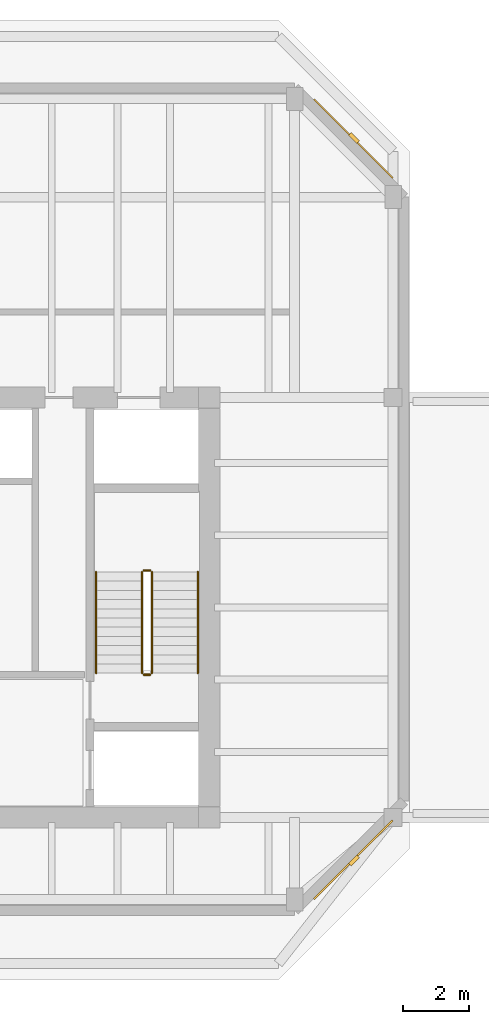
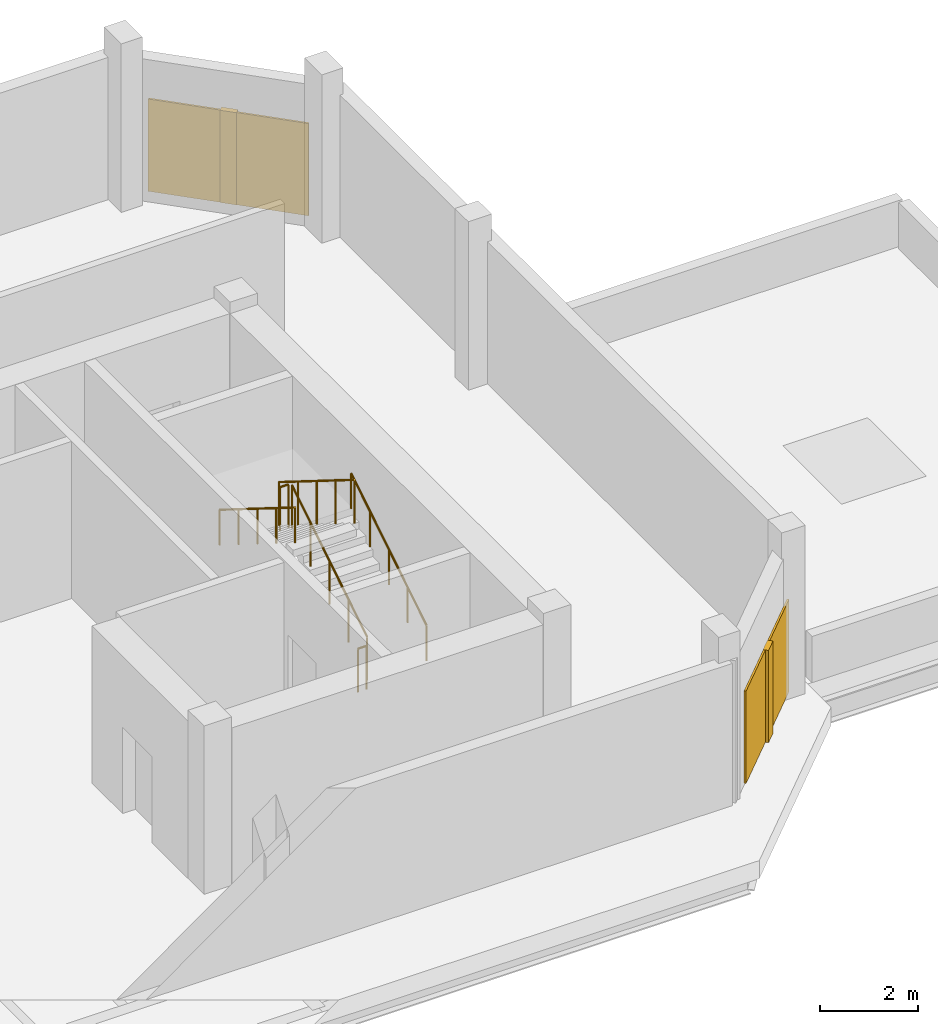
# One storey, part 5 of 5: 6 railings, 2 coverings, 2 shading devices.
"""IFC4 building model written with IfcOpenShell, lengths in metres."""

from ifc_helpers import new_model, si_unit, direction, frame, origin, origin_2d, place, context, subcontext, project, spatial, rectangle, circle, extrude, material, layer, layer_set, type_object, element, save


model = new_model("IFC4")

# Units and contexts
model_context = context("Model", 3, precision=1e-05, world=origin(), true_north=direction((0.0, 1.0)))
body_context = subcontext(model_context, "Body", "Model", "MODEL_VIEW")
ifc_project = project(units=[si_unit("LENGTHUNIT", "METRE"), si_unit("AREAUNIT", "SQUARE_METRE"), si_unit("VOLUMEUNIT", "CUBIC_METRE"), si_unit("PLANEANGLEUNIT", "RADIAN"), si_unit("MASSUNIT", "GRAM", prefix="KILO")], contexts=[model_context])

# Site, building, storey
site_placement = place(None, origin())
site = spatial("IfcSite", under=ifc_project, at=site_placement, CompositionType="ELEMENT")
building_placement = place(site_placement, origin())
building = spatial("IfcBuilding", under=site, at=building_placement, Name="Kranthara Brick Stack", CompositionType="ELEMENT")
storey_placement = place(building_placement, frame((0.0, 0.0, 292.199951171875)))
storey = spatial("IfcBuildingStorey", under=building, at=storey_placement, Name="L77", CompositionType="ELEMENT", Elevation=292.199951171875)

# Coverings
ifc_material_1 = material(Name="Warm buff kiln-fired brick slip rainscreen", Category="masonry")
ifc_layer = layer(ifc_material_1, 0.044921875)
ifc_layer_set = layer_set([ifc_layer], Name="Warm buff kiln-fired brick slip rainscreen")
covering_type = type_object("IfcCoveringType", Name="COV-CLAD-BRICK", PredefinedType="CLADDING", material=ifc_layer_set)
for number, where, z_axis, x_axis, name in (
    (1, (47.585205078125, 41.485107421875, 0.0498046875), (0.0, 0.0, 1.0), (0.707106781187, -0.707106781187, 0.0), "L77 Chamfer Brick Rainscreen Cladding NE"),
    (2, (47.585205078125, 19.514892578125, 0.0498046875), (0.0, 0.0, 1.0), (-0.707106781187, -0.707106781187, 0.0), "L77 Chamfer Brick Rainscreen Cladding SE"),
):
    element("IfcCovering", number, at=place(storey_placement, frame(where, z_axis=z_axis, x_axis=x_axis)), inside=storey, type_object=covering_type, Name=name, PredefinedType="CLADDING", context=body_context, shape_type="SweptSolid", body=[
        extrude(rectangle(XDim=3.39111328125, YDim=0.044921875, at=origin_2d()), origin(), (0.0, 0.0, 1.0), 2.300048828125),
    ])

# Railings
ifc_material_2 = material(Name="Painted galvanized steel stair guardrail", Category="steel")
railing_type_1 = type_object("IfcRailingType", Name="RL-STAIR-GUARD-1100", PredefinedType="GUARDRAIL", material=ifc_material_2)
railing_1_placement = place(storey_placement, frame((41.449951171875, 25.199951171875, 0.175048828125)))
element("IfcRailing", 3, at=railing_1_placement, inside=storey, type_object=railing_type_1, Name="L77 ST02 stair guard 1", PredefinedType="GUARDRAIL", context=body_context, shape_type="SweptSolid", body=[
    extrude(circle(Radius=0.02392578125, at=origin_2d()), frame((0.0, 0.0, 1.076171875), z_axis=(0.0, 0.847998304005, 0.529998940003), x_axis=(-1.0, 0.0, 0.0)), (0.0, 0.0, 1.0), 3.632080078125),
    extrude(circle(Radius=0.02099609375, at=origin_2d()), origin(), (0.0, 0.0, 1.0), 1.052001953125),
    extrude(circle(Radius=0.02099609375, at=origin_2d()), frame((0.0, 0.77001953125, 0.481201171875)), (0.0, 0.0, 1.0), 1.052001953125),
    extrude(circle(Radius=0.02099609375, at=origin_2d()), frame((0.0, 1.5400390625, 0.96240234375)), (0.0, 0.0, 1.0), 1.052001953125),
    extrude(circle(Radius=0.02099609375, at=origin_2d()), frame((0.0, 2.31005859375, 1.44384765625)), (0.0, 0.0, 1.0), 1.052001953125),
    extrude(circle(Radius=0.02099609375, at=origin_2d()), frame((0.0, 3.080078125, 1.925048828125)), (0.0, 0.0, 1.0), 1.052001953125),
])
railing_2_placement = place(storey_placement, frame((41.39990234375, 28.330078125, 2.10009765625)))
element("IfcRailing", 4, at=railing_2_placement, inside=storey, type_object=railing_type_1, Name="L77 ST02 stair guard 2", PredefinedType="GUARDRAIL", context=body_context, shape_type="SweptSolid", body=[
    extrude(circle(Radius=0.02392578125, at=origin_2d()), frame((0.0, 0.0, 1.076171875), z_axis=(-1.0, 0.0, 0.0), x_axis=(0.0, -1.0, 0.0)), (0.0, 0.0, 1.0), 0.199951171875),
    extrude(circle(Radius=0.02099609375, at=origin_2d()), origin(), (0.0, 0.0, 1.0), 1.052001953125),
    extrude(circle(Radius=0.02099609375, at=origin_2d()), frame((-0.199951171875, 0.0, 0.0)), (0.0, 0.0, 1.0), 1.052001953125),
])
railing_3_placement = place(storey_placement, frame((41.14990234375, 28.280029296875, 2.275146484375)))
element("IfcRailing", 5, at=railing_3_placement, inside=storey, type_object=railing_type_1, Name="L77 ST02 stair guard 3", PredefinedType="GUARDRAIL", context=body_context, shape_type="SweptSolid", body=[
    extrude(circle(Radius=0.02392578125, at=origin_2d()), frame((0.0, 0.0, 1.076171875), z_axis=(0.0, -0.848028513186, 0.529950602248), x_axis=(1.0, 0.0, 0.0)), (0.0, 0.0, 1.0), 3.632080078125),
    extrude(circle(Radius=0.02099609375, at=origin_2d()), origin(), (0.0, 0.0, 1.0), 1.052001953125),
    extrude(circle(Radius=0.02099609375, at=origin_2d()), frame((0.0, -0.77001953125, 0.481201171875)), (0.0, 0.0, 1.0), 1.052001953125),
    extrude(circle(Radius=0.02099609375, at=origin_2d()), frame((0.0, -1.5400390625, 0.96240234375)), (0.0, 0.0, 1.0), 1.052001953125),
    extrude(circle(Radius=0.02099609375, at=origin_2d()), frame((0.0, -2.31005859375, 1.443603515625)), (0.0, 0.0, 1.0), 1.052001953125),
    extrude(circle(Radius=0.02099609375, at=origin_2d()), frame((0.0, -3.080078125, 1.9248046875)), (0.0, 0.0, 1.0), 1.052001953125),
])
railing_4_placement = place(storey_placement, frame((41.39990234375, 25.14990234375, 0.0)))
element("IfcRailing", 6, at=railing_4_placement, inside=storey, type_object=railing_type_1, Name="L77 ST02 stair guard 4", PredefinedType="GUARDRAIL", context=body_context, shape_type="SweptSolid", body=[
    extrude(circle(Radius=0.02392578125, at=origin_2d()), frame((0.0, 0.0, 1.076171875), z_axis=(-1.0, 0.0, 0.0), x_axis=(0.0, -1.0, 0.0)), (0.0, 0.0, 1.0), 0.199951171875),
    extrude(circle(Radius=0.02099609375, at=origin_2d()), origin(), (0.0, 0.0, 1.0), 1.052001953125),
    extrude(circle(Radius=0.02099609375, at=origin_2d()), frame((-0.199951171875, 0.0, 0.0)), (0.0, 0.0, 1.0), 1.052001953125),
])
ifc_material_3 = material(Name="Brushed stainless steel tubular handrail", Category="steel")
railing_type_2 = type_object("IfcRailingType", Name="RL-STAIR-HAND-900", PredefinedType="HANDRAIL", material=ifc_material_3)
railing_5_placement = place(storey_placement, frame((42.85009765625, 25.199951171875, 0.175048828125)))
element("IfcRailing", 7, at=railing_5_placement, inside=storey, type_object=railing_type_2, Name="L77 ST02 stair handrail 1", PredefinedType="HANDRAIL", context=body_context, shape_type="SweptSolid", body=[
    extrude(circle(Radius=0.02392578125, at=origin_2d()), frame((0.0, 0.0, 0.8759765625), z_axis=(0.0, 0.847998304005, 0.529998940003), x_axis=(-1.0, 0.0, 0.0)), (0.0, 0.0, 1.0), 3.632080078125),
    extrude(circle(Radius=0.02099609375, at=origin_2d()), origin(), (0.0, 0.0, 1.0), 0.851806640625),
    extrude(circle(Radius=0.02099609375, at=origin_2d()), frame((0.0, 0.77001953125, 0.481201171875)), (0.0, 0.0, 1.0), 0.851806640625),
    extrude(circle(Radius=0.02099609375, at=origin_2d()), frame((0.0, 1.5400390625, 0.96240234375)), (0.0, 0.0, 1.0), 0.851806640625),
    extrude(circle(Radius=0.02099609375, at=origin_2d()), frame((0.0, 2.31005859375, 1.44384765625)), (0.0, 0.0, 1.0), 0.851806640625),
    extrude(circle(Radius=0.02099609375, at=origin_2d()), frame((0.0, 3.080078125, 1.925048828125)), (0.0, 0.0, 1.0), 0.851806640625),
])
railing_6_placement = place(storey_placement, frame((39.75, 28.280029296875, 2.275146484375)))
element("IfcRailing", 8, at=railing_6_placement, inside=storey, type_object=railing_type_2, Name="L77 ST02 stair handrail 2", PredefinedType="HANDRAIL", context=body_context, shape_type="SweptSolid", body=[
    extrude(circle(Radius=0.02392578125, at=origin_2d()), frame((0.0, 0.0, 0.8759765625), z_axis=(0.0, -0.848028513186, 0.529950602248), x_axis=(1.0, 0.0, 0.0)), (0.0, 0.0, 1.0), 3.632080078125),
    extrude(circle(Radius=0.02099609375, at=origin_2d()), origin(), (0.0, 0.0, 1.0), 0.851806640625),
    extrude(circle(Radius=0.02099609375, at=origin_2d()), frame((0.0, -0.77001953125, 0.481201171875)), (0.0, 0.0, 1.0), 0.851806640625),
    extrude(circle(Radius=0.02099609375, at=origin_2d()), frame((0.0, -1.5400390625, 0.96240234375)), (0.0, 0.0, 1.0), 0.851806640625),
    extrude(circle(Radius=0.02099609375, at=origin_2d()), frame((0.0, -2.31005859375, 1.443603515625)), (0.0, 0.0, 1.0), 0.851806640625),
    extrude(circle(Radius=0.02099609375, at=origin_2d()), frame((0.0, -3.080078125, 1.9248046875)), (0.0, 0.0, 1.0), 0.851806640625),
])

# Shading devices
ifc_material_4 = material(Name="Kiln-fired terracotta aerodynamic wind fin", Category="masonry")
shading_device_type = type_object("IfcShadingDeviceType", Name="SHD-BAFFLE-CORNER", PredefinedType="SHUTTER", material=ifc_material_4)
for number, where, z_axis, x_axis, name in (
    (9, (47.6064453125, 41.50634765625, 0.0498046875), (0.0, 0.0, 1.0), (0.707106781187, -0.707106781187, 0.0), "L77 Chamfer Wind-Baffle Fin NE"),
    (10, (47.6064453125, 19.49365234375, 0.0498046875), (0.0, 0.0, 1.0), (-0.707106781187, -0.707106781187, 0.0), "L77 Chamfer Wind-Baffle Fin SE"),
):
    element("IfcShadingDevice", number, at=place(storey_placement, frame(where, z_axis=z_axis, x_axis=x_axis)), inside=storey, type_object=shading_device_type, Name=name, PredefinedType="SHUTTER", context=body_context, shape_type="SweptSolid", body=[
        extrude(rectangle(XDim=0.35009765625, YDim=0.1201171875, at=origin_2d()), origin(), (0.0, 0.0, 1.0), 2.300048828125),
    ])

save(model, "model.ifc")
